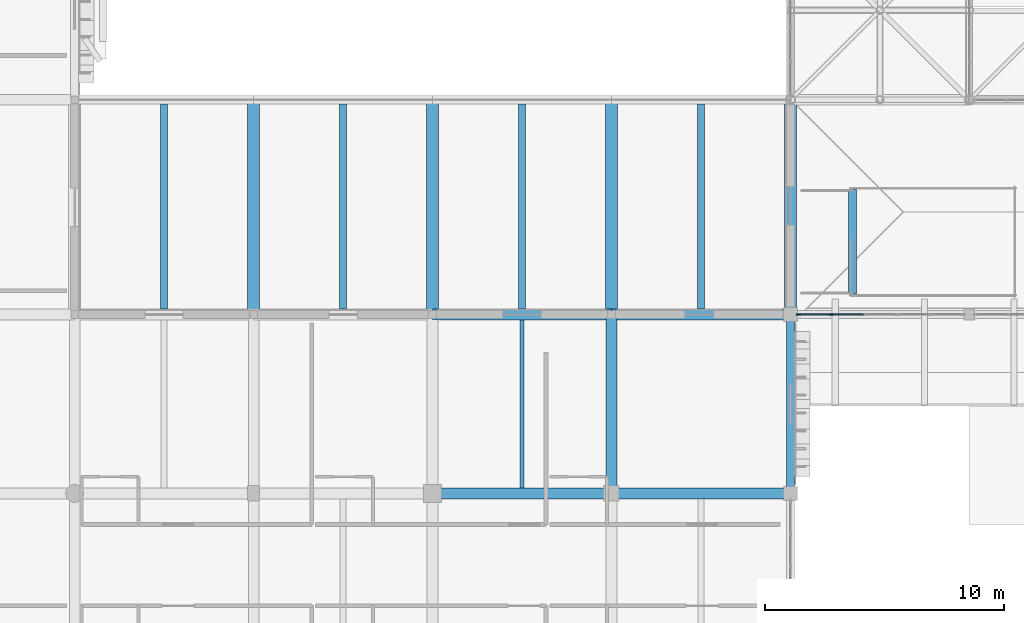
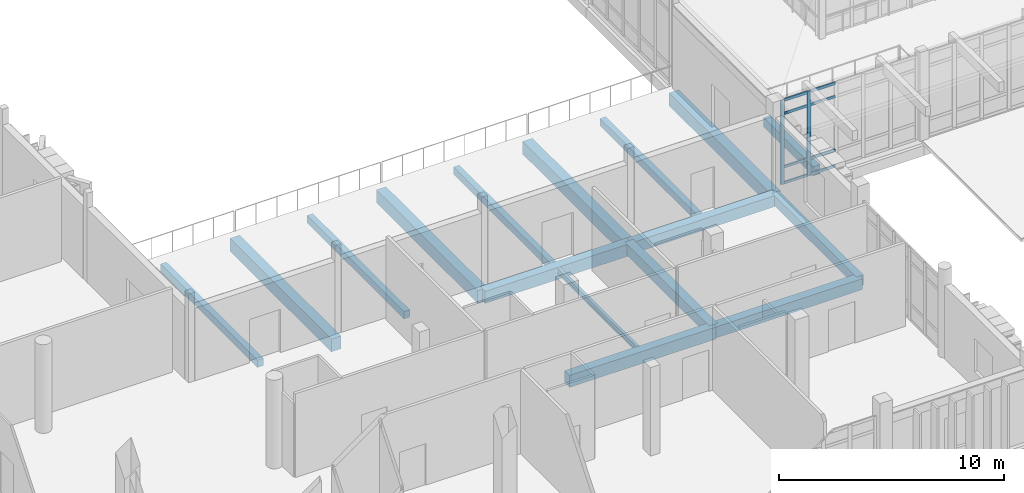
# One storey, part 20 of 131: 16 beams, 10 members, 1 element without a shape of its own.
"""IFC4 building model written with IfcOpenShell, lengths in metres."""

from ifc_helpers import new_model, si_unit, direction, frame, origin, origin_2d, place, context, subcontext, project, spatial, rectangle, i_section, extrude, material, layer, layer_set, material_profile, profile_set, type_object, element, aggregate, save


model = new_model("IFC4")

# Units and contexts
model_context = context("Model", 3, precision=1e-05, world=origin(), true_north=direction((0.0, 1.0)))
body_context = subcontext(model_context, "Body", "Model", "MODEL_VIEW")
ifc_project = project(units=[si_unit("LENGTHUNIT", "METRE"), si_unit("AREAUNIT", "SQUARE_METRE"), si_unit("VOLUMEUNIT", "CUBIC_METRE"), si_unit("PLANEANGLEUNIT", "RADIAN"), si_unit("MASSUNIT", "GRAM", prefix="KILO")], contexts=[model_context])

# Site, building, storey
site_placement = place(None, origin())
site = spatial("IfcSite", under=ifc_project, at=site_placement, CompositionType="ELEMENT")
building_placement = place(site_placement, origin())
building = spatial("IfcBuilding", under=site, at=building_placement, Name="Dalvernix Boulevard General Hospital", CompositionType="ELEMENT")
storey_placement = place(building_placement, frame((0.0, 0.0, 9.300048828125)))
storey = spatial("IfcBuildingStorey", under=building, at=storey_placement, Name="L02", CompositionType="ELEMENT", Elevation=9.300048828125)

# Beams
ifc_material_1 = material(Name="Concrete C35/45", Category="concrete")
ifc_material_profile_1 = material_profile(ifc_material_1, rectangle(XDim=0.5, YDim=0.699951171875, at=origin_2d()), Name="RCB 500x700")
ifc_profile_set_1 = profile_set([ifc_material_profile_1], Name="Concrete C35/45")
beam_type_1 = type_object("IfcBeamType", Name="BM-B-01-I", PredefinedType="BEAM", material=ifc_profile_set_1)
for number, where, z_axis, x_axis, name in (
    (1, (37.5, 22.5, -0.670166015625), (0.0, 1.0, 0.0), (-1.0, 0.0, 0.0), "L02 N-S girder 6:D-E"),
    (2, (45.0, 22.5, -0.670166015625), (0.0, 1.0, 0.0), (-1.0, 0.0, 0.0), "L02 N-S girder 7:D-E"),
    (3, (52.5, 22.5, -0.670166015625), (0.0, 1.0, 0.0), (-1.0, 0.0, 0.0), "L02 N-S girder 8:D-E"),
    (4, (60.0, 22.5, -0.670166015625), (0.0, 1.0, 0.0), (-1.0, 0.0, 0.0), "L02 N-S girder 9:D-E"),
):
    element("IfcBeam", number, at=place(storey_placement, frame(where, z_axis=z_axis, x_axis=x_axis)), inside=storey, type_object=beam_type_1, Name=name, PredefinedType="BEAM", context=body_context, shape_type="SweptSolid", body=[
        extrude(rectangle(XDim=0.5, YDim=0.699951171875, at=origin_2d()), origin(), (0.0, 0.0, 1.0), 9.0),
    ])
ifc_material_profile_2 = material_profile(ifc_material_1, rectangle(XDim=0.449951171875, YDim=0.64990234375, at=origin_2d()), Name="RCB 450x650")
ifc_profile_set_2 = profile_set([ifc_material_profile_2], Name="Concrete C35/45")
beam_type_2 = type_object("IfcBeamType", Name="BM-B-03-I", PredefinedType="BEAM", material=ifc_profile_set_2)
for number, where, z_axis, x_axis, name in (
    (5, (45.0, 15.0, -0.64501953125), (1.0, 0.0, 0.0), (0.0, 1.0, 0.0), "L02 E-W girder C:7-8"),
    (6, (45.0, 22.5, -0.64501953125), (1.0, 0.0, 0.0), (0.0, 1.0, 0.0), "L02 E-W girder D:7-8"),
):
    element("IfcBeam", number, at=place(storey_placement, frame(where, z_axis=z_axis, x_axis=x_axis)), inside=storey, type_object=beam_type_2, Name=name, PredefinedType="BEAM", context=body_context, shape_type="SweptSolid", body=[
        extrude(rectangle(XDim=0.449951171875, YDim=0.64990234375, at=origin_2d()), origin(), (0.0, 0.0, 1.0), 7.5),
    ])
ifc_material_profile_3 = material_profile(ifc_material_1, rectangle(XDim=0.449951171875, YDim=0.60009765625, at=origin_2d()), Name="RCB 450x600")
ifc_profile_set_3 = profile_set([ifc_material_profile_3], Name="Concrete C35/45")
beam_type_3 = type_object("IfcBeamType", Name="BM-B-04-I", PredefinedType="BEAM", material=ifc_profile_set_3)
for number, where, z_axis, x_axis, name in (
    (7, (52.5, 15.0, -0.6201171875), (1.0, 0.0, 0.0), (0.0, 1.0, 0.0), "L02 E-W girder C:8-9"),
    (8, (52.5, 22.5, -0.6201171875), (1.0, 0.0, 0.0), (0.0, 1.0, 0.0), "L02 E-W girder D:8-9"),
    (9, (52.5, 15.0, -0.6201171875), (0.0, 1.0, 0.0), (-1.0, 0.0, 0.0), "L02 N-S girder 8:C-D"),
):
    element("IfcBeam", number, at=place(storey_placement, frame(where, z_axis=z_axis, x_axis=x_axis)), inside=storey, type_object=beam_type_3, Name=name, PredefinedType="BEAM", context=body_context, shape_type="SweptSolid", body=[
        extrude(rectangle(XDim=0.449951171875, YDim=0.60009765625, at=origin_2d()), origin(), (0.0, 0.0, 1.0), 7.5),
    ])
ifc_material_profile_4 = material_profile(ifc_material_1, rectangle(XDim=0.35009765625, YDim=0.5, at=origin_2d()), Name="RCB 350x500")
ifc_profile_set_4 = profile_set([ifc_material_profile_4], Name="Concrete C35/45")
beam_type_4 = type_object("IfcBeamType", Name="BM-B-08", PredefinedType="BEAM", material=ifc_profile_set_4)
beam_1_placement = place(storey_placement, frame((62.60009765625, 23.35009765625, -0.570068359375), z_axis=(0.0, 1.0, 0.0), x_axis=(-1.0, 0.0, 0.0)))
element("IfcBeam", 10, at=beam_1_placement, inside=storey, type_object=beam_type_4, Name="L02 ST-07 floor-edge support beam", PredefinedType="BEAM", context=body_context, shape_type="SweptSolid", body=[
    extrude(rectangle(XDim=0.35009765625, YDim=0.5, at=origin_2d()), origin(), (0.0, 0.0, 1.0), 4.39990234375),
])
ifc_material_profile_5 = material_profile(ifc_material_1, rectangle(XDim=0.300048828125, YDim=0.39990234375, at=origin_2d()), Name="RCB 300x400")
ifc_profile_set_5 = profile_set([ifc_material_profile_5], Name="Concrete C35/45")
beam_type_5 = type_object("IfcBeamType", Name="BM-JB-01", PredefinedType="JOIST", material=ifc_profile_set_5)
for number, where, z_axis, x_axis, name in (
    (11, (33.75, 22.72509765625, -0.52001953125), (0.0, 1.0, 0.0), (-1.0, 0.0, 0.0), "L02 secondary floor beam 5-D"),
    (12, (41.25, 22.72509765625, -0.52001953125), (0.0, 1.0, 0.0), (-1.0, 0.0, 0.0), "L02 secondary floor beam 6-D"),
    (13, (48.75, 22.72509765625, -0.52001953125), (0.0, 1.0, 0.0), (-1.0, 0.0, 0.0), "L02 secondary floor beam 7-D"),
    (14, (56.25, 22.72509765625, -0.52001953125), (0.0, 1.0, 0.0), (-1.0, 0.0, 0.0), "L02 secondary floor beam 8-D"),
):
    element("IfcBeam", number, at=place(storey_placement, frame(where, z_axis=z_axis, x_axis=x_axis)), inside=storey, type_object=beam_type_5, Name=name, PredefinedType="JOIST", context=body_context, shape_type="SweptSolid", body=[
        extrude(rectangle(XDim=0.300048828125, YDim=0.39990234375, at=origin_2d()), origin(), (0.0, 0.0, 1.0), 8.599853515625),
    ])
ifc_material_2 = material(Name="Steel S355", Category="steel")
ifc_material_profile_6 = material_profile(ifc_material_2, i_section(OverallWidth=0.14990234375, OverallDepth=0.300048828125, WebThickness=0.007080078125, FlangeThickness=0.0107421875, FilletRadius=0.014892578125, at=origin_2d()), Name="IPE 300")
ifc_profile_set_6 = profile_set([ifc_material_profile_6], Name="Steel S355")
beam_type_6 = type_object("IfcBeamType", Name="BM-JB-03", PredefinedType="JOIST", material=ifc_profile_set_6)
beam_2_placement = place(storey_placement, frame((48.75, 15.22509765625, -0.469970703125), z_axis=(0.0, 1.0, 0.0), x_axis=(-1.0, 0.0, 0.0)))
element("IfcBeam", 15, at=beam_2_placement, inside=storey, type_object=beam_type_6, Name="L02 secondary floor beam 7-C", PredefinedType="JOIST", context=body_context, shape_type="SweptSolid", body=[
    extrude(i_section(OverallWidth=0.14990234375, OverallDepth=0.300048828125, WebThickness=0.007080078125, FlangeThickness=0.0107421875, FilletRadius=0.014892578125, at=origin_2d()), origin(), (0.0, 0.0, 1.0), 7.0498046875),
])
ifc_material_profile_7 = material_profile(ifc_material_1, rectangle(XDim=0.35009765625, YDim=0.550048828125, at=origin_2d()), Name="RCB 350x550")
ifc_profile_set_7 = profile_set([ifc_material_profile_7], Name="Concrete C35/45")
beam_type_7 = type_object("IfcBeamType", Name="BM-SB-01-E", PredefinedType="SPANDREL", material=ifc_profile_set_7)
beam_3_placement = place(storey_placement, frame((60.0, 15.0, -0.594970703125), z_axis=(0.0, 1.0, 0.0), x_axis=(-1.0, 0.0, 0.0)))
element("IfcBeam", 16, at=beam_3_placement, inside=storey, type_object=beam_type_7, Name="L02 N-S girder 9:C-D", PredefinedType="SPANDREL", context=body_context, shape_type="SweptSolid", body=[
    extrude(rectangle(XDim=0.35009765625, YDim=0.550048828125, at=origin_2d()), origin(), (0.0, 0.0, 1.0), 7.5),
])

# Curtain wall, members
ifc_material_3 = material(Name="Thermally broken aluminium and solar-control glass curtain wall", Category="aluminium")
ifc_layer = layer(ifc_material_3, 0.179931640625)
ifc_layer_set = layer_set([ifc_layer], Name="Thermally broken aluminium and solar-control glass curtain wall (CW-CW-B-70x46)")
curtain_wall_type = type_object("IfcCurtainWallType", Name="CW-CW-B-70x46", PredefinedType="USERDEFINED", material=ifc_layer_set)
curtain_wall_placement = place(storey_placement, origin())
curtain_wall = element("IfcCurtainWall", 17, at=curtain_wall_placement, inside=storey, type_object=curtain_wall_type, Name="L02 curtain wall CW-B-70x46 8-3", ObjectType="GLAZED FACADE", PredefinedType="USERDEFINED")
ifc_material_4 = material(Name="Aluminium EN AW-6060", Category="aluminium")
ifc_material_profile_8 = material_profile(ifc_material_4, rectangle(XDim=0.06494140625, YDim=0.179931640625, at=origin_2d()), Name="ALU MULL 65x180")
ifc_profile_set_8 = profile_set([ifc_material_profile_8], Name="Aluminium EN AW-6060")
member_type_1 = type_object("IfcMemberType", Name="MEM-CW-M2", PredefinedType="MULLION", material=ifc_profile_set_8)
member_1_placement = place(storey_placement, frame((61.700927734375, 22.5, 0.0), z_axis=(0.0, 0.0, 1.0), x_axis=(0.0, -1.0, 0.0)))
member_1 = element("IfcMember", 18, at=member_1_placement, type_object=member_type_1, Name="CW-B-70x46 mullion 5", PredefinedType="MULLION", context=body_context, shape_type="SweptSolid", body=[
    extrude(rectangle(XDim=0.06494140625, YDim=0.179931640625, at=origin_2d()), origin(), (0.0, 0.0, 1.0), 4.550048828125),
])
member_2_placement = place(storey_placement, frame((60.342529296875, 22.5, 0.0), z_axis=(0.0, 0.0, 1.0), x_axis=(0.0, -1.0, 0.0)))
member_2 = element("IfcMember", 19, at=member_2_placement, type_object=member_type_1, Name="CW-B-70x46 mullion 6", PredefinedType="MULLION", context=body_context, shape_type="SweptSolid", body=[
    extrude(rectangle(XDim=0.06494140625, YDim=0.179931640625, at=origin_2d()), origin(), (0.0, 0.0, 1.0), 4.550048828125),
])
ifc_material_profile_9 = material_profile(ifc_material_4, rectangle(XDim=0.06494140625, YDim=0.139892578125, at=origin_2d()), Name="ALU TRAN 65x140")
ifc_profile_set_9 = profile_set([ifc_material_profile_9], Name="Aluminium EN AW-6060")
member_type_2 = type_object("IfcMemberType", Name="MEM-CW-T2", PredefinedType="USERDEFINED", material=ifc_profile_set_9)
member_3_placement = place(storey_placement, frame((63.0595703125, 22.5, 0.032470703125), z_axis=(-1.0, 0.0, 0.0), x_axis=(0.0, -1.0, 0.0)))
member_3 = element("IfcMember", 20, at=member_3_placement, type_object=member_type_2, Name="CW-B-70x46 transom 4.1", ObjectType="TRANSOM", PredefinedType="USERDEFINED", context=body_context, shape_type="SweptSolid", body=[
    extrude(rectangle(XDim=0.06494140625, YDim=0.139892578125, at=origin_2d()), origin(), (0.0, 0.0, 1.0), 1.326171875),
])
member_4_placement = place(storey_placement, frame((63.0595703125, 22.5, 0.89990234375), z_axis=(-1.0, 0.0, 0.0), x_axis=(0.0, -1.0, 0.0)))
member_4 = element("IfcMember", 21, at=member_4_placement, type_object=member_type_2, Name="CW-B-70x46 transom 4.2", ObjectType="TRANSOM", PredefinedType="USERDEFINED", context=body_context, shape_type="SweptSolid", body=[
    extrude(rectangle(XDim=0.06494140625, YDim=0.139892578125, at=origin_2d()), origin(), (0.0, 0.0, 1.0), 1.326171875),
])
member_5_placement = place(storey_placement, frame((63.0595703125, 22.5, 3.800048828125), z_axis=(-1.0, 0.0, 0.0), x_axis=(0.0, -1.0, 0.0)))
member_5 = element("IfcMember", 22, at=member_5_placement, type_object=member_type_2, Name="CW-B-70x46 transom 4.3", ObjectType="TRANSOM", PredefinedType="USERDEFINED", context=body_context, shape_type="SweptSolid", body=[
    extrude(rectangle(XDim=0.06494140625, YDim=0.139892578125, at=origin_2d()), origin(), (0.0, 0.0, 1.0), 1.326171875),
])
member_6_placement = place(storey_placement, frame((63.0595703125, 22.5, 4.517333984375), z_axis=(-1.0, 0.0, 0.0), x_axis=(0.0, -1.0, 0.0)))
member_6 = element("IfcMember", 23, at=member_6_placement, type_object=member_type_2, Name="CW-B-70x46 transom 4.4", ObjectType="TRANSOM", PredefinedType="USERDEFINED", context=body_context, shape_type="SweptSolid", body=[
    extrude(rectangle(XDim=0.06494140625, YDim=0.139892578125, at=origin_2d()), origin(), (0.0, 0.0, 1.0), 1.326171875),
])
member_7_placement = place(storey_placement, frame((61.66845703125, 22.5, 0.032470703125), z_axis=(-1.0, 0.0, 0.0), x_axis=(0.0, -1.0, 0.0)))
member_7 = element("IfcMember", 24, at=member_7_placement, type_object=member_type_2, Name="CW-B-70x46 transom 5.1", ObjectType="TRANSOM", PredefinedType="USERDEFINED", context=body_context, shape_type="SweptSolid", body=[
    extrude(rectangle(XDim=0.06494140625, YDim=0.139892578125, at=origin_2d()), origin(), (0.0, 0.0, 1.0), 1.29345703125),
])
member_8_placement = place(storey_placement, frame((61.66845703125, 22.5, 0.89990234375), z_axis=(-1.0, 0.0, 0.0), x_axis=(0.0, -1.0, 0.0)))
member_8 = element("IfcMember", 25, at=member_8_placement, type_object=member_type_2, Name="CW-B-70x46 transom 5.2", ObjectType="TRANSOM", PredefinedType="USERDEFINED", context=body_context, shape_type="SweptSolid", body=[
    extrude(rectangle(XDim=0.06494140625, YDim=0.139892578125, at=origin_2d()), origin(), (0.0, 0.0, 1.0), 1.29345703125),
])
member_9_placement = place(storey_placement, frame((61.66845703125, 22.5, 3.800048828125), z_axis=(-1.0, 0.0, 0.0), x_axis=(0.0, -1.0, 0.0)))
member_9 = element("IfcMember", 26, at=member_9_placement, type_object=member_type_2, Name="CW-B-70x46 transom 5.3", ObjectType="TRANSOM", PredefinedType="USERDEFINED", context=body_context, shape_type="SweptSolid", body=[
    extrude(rectangle(XDim=0.06494140625, YDim=0.139892578125, at=origin_2d()), origin(), (0.0, 0.0, 1.0), 1.29345703125),
])
member_10_placement = place(storey_placement, frame((61.66845703125, 22.5, 4.517333984375), z_axis=(-1.0, 0.0, 0.0), x_axis=(0.0, -1.0, 0.0)))
member_10 = element("IfcMember", 27, at=member_10_placement, type_object=member_type_2, Name="CW-B-70x46 transom 5.4", ObjectType="TRANSOM", PredefinedType="USERDEFINED", context=body_context, shape_type="SweptSolid", body=[
    extrude(rectangle(XDim=0.06494140625, YDim=0.139892578125, at=origin_2d()), origin(), (0.0, 0.0, 1.0), 1.29345703125),
])
aggregate(curtain_wall, [member_1, member_2, member_3, member_4, member_5, member_6, member_7, member_8, member_9, member_10])

save(model, "model.ifc")
